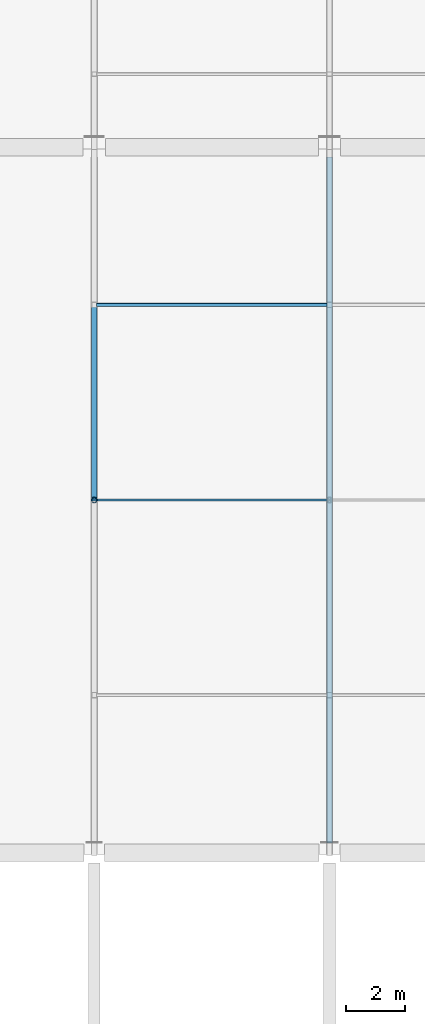
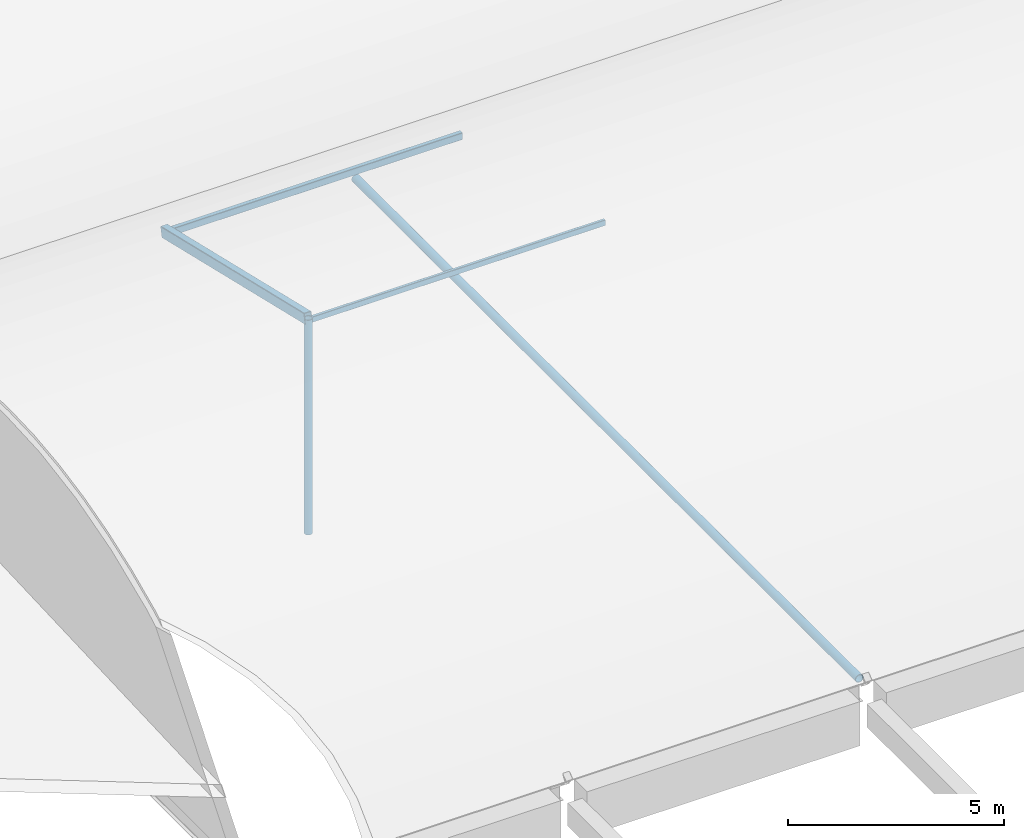
# One storey, part 5 of 57: 5 members.
"""IFC4 building model written with IfcOpenShell, lengths in metres."""

from ifc_helpers import new_model, si_unit, direction, frame, origin, origin_2d, place, context, subcontext, project, spatial, hollow_rectangle, hollow_circle, extrude, material, material_profile, profile_set, type_object, element, save


model = new_model("IFC4")

# Units and contexts
model_context = context("Model", 3, precision=1e-05, world=origin(), true_north=direction((0.0, 1.0)))
body_context = subcontext(model_context, "Body", "Model", "MODEL_VIEW")
ifc_project = project(units=[si_unit("LENGTHUNIT", "METRE"), si_unit("AREAUNIT", "SQUARE_METRE"), si_unit("VOLUMEUNIT", "CUBIC_METRE"), si_unit("PLANEANGLEUNIT", "RADIAN"), si_unit("MASSUNIT", "GRAM", prefix="KILO"), si_unit("THERMODYNAMICTEMPERATUREUNIT", "KELVIN"), si_unit("POWERUNIT", "WATT")], contexts=[model_context])

# Site, building, storey
site_placement = place(None, origin())
site = spatial("IfcSite", under=ifc_project, at=site_placement, CompositionType="ELEMENT")
building_placement = place(site_placement, origin())
building = spatial("IfcBuilding", under=site, at=building_placement, Name="Kronsvod Quay Wholesale Market", CompositionType="ELEMENT")
storey_placement = place(building_placement, frame((0.0, 0.0, 13.199951171875)))
storey = spatial("IfcBuildingStorey", under=building, at=storey_placement, Name="L03", CompositionType="ELEMENT", Elevation=13.199951171875)

# Members
ifc_material_1 = material(Name="Steel S355", Category="steel")
ifc_material_profile_1 = material_profile(ifc_material_1, hollow_rectangle(XDim=0.199951171875, YDim=0.300048828125, WallThickness=0.011962890625, InnerFilletRadius=0.011962890625, OuterFilletRadius=0.02392578125, at=origin_2d()), Name="RHS300x200x12")
ifc_profile_set_1 = profile_set([ifc_material_profile_1], Name="Steel S355")
member_type_1 = type_object("IfcMemberType", Name="Member_Arch300x200", PredefinedType="RAFTER", material=ifc_profile_set_1)
member_1_placement = place(storey_placement, frame((40.0, 66.0, 5.840087890625), z_axis=(0.0, 0.973251166163, -0.229743699723), x_axis=(-1.0, 0.0, 0.0)))
element("IfcMember", 1, at=member_1_placement, inside=storey, type_object=member_type_1, Name="ARCG-SH-V1W-M-400-2", PredefinedType="RAFTER", context=body_context, shape_type="SweptSolid", body=[
    extrude(hollow_rectangle(XDim=0.199951171875, YDim=0.300048828125, WallThickness=0.011962890625, InnerFilletRadius=0.011962890625, OuterFilletRadius=0.02392578125, at=origin_2d()), origin(), (0.0, 0.0, 1.0), 6.819091796875),
])
ifc_material_2 = material(Name="Steel S355", Category="steel")
ifc_material_profile_2 = material_profile(ifc_material_2, hollow_circle(Radius=0.096923828125, WallThickness=0.008056640625, at=origin_2d()), Name="CHS194x8")
ifc_profile_set_2 = profile_set([ifc_material_profile_2], Name="Steel S355")
member_type_2 = type_object("IfcMemberType", Name="Member_Brace194x8", PredefinedType="BRACE", material=ifc_profile_set_2)
member_2_placement = place(storey_placement, frame((40.0, 66.0, -0.22998046875), z_axis=(0.0, 0.0, 1.0), x_axis=(1.0, 0.0, 0.0)))
element("IfcMember", 2, at=member_2_placement, inside=storey, type_object=member_type_2, Name="KPST-SH-V1W-M-400", PredefinedType="BRACE", context=body_context, shape_type="SweptSolid", body=[
    extrude(hollow_circle(Radius=0.096923828125, WallThickness=0.008056640625, at=origin_2d()), origin(), (0.0, 0.0, 1.0), 6.070068359375),
])
ifc_material_3 = material(Name="Steel S355", Category="steel")
ifc_material_profile_3 = material_profile(ifc_material_3, hollow_circle(Radius=0.109619140625, WallThickness=0.010009765625, at=origin_2d()), Name="CHS219x10")
ifc_profile_set_3 = profile_set([ifc_material_profile_3], Name="Steel S355")
member_type_3 = type_object("IfcMemberType", Name="Member_Chord219x10", PredefinedType="CHORD", material=ifc_profile_set_3)
member_3_placement = place(storey_placement, frame((48.0, 54.340087890625, -0.079833984375), z_axis=(0.0, 1.0, 0.0), x_axis=(-1.0, 0.0, 0.0)))
element("IfcMember", 3, at=member_3_placement, inside=storey, type_object=member_type_3, Name="CHDG-SH-V1W-M-480", PredefinedType="CHORD", context=body_context, shape_type="SweptSolid", body=[
    extrude(hollow_circle(Radius=0.109619140625, WallThickness=0.010009765625, at=origin_2d()), origin(), (0.0, 0.0, 1.0), 23.31982421875),
])
ifc_material_4 = material(Name="Steel S355", Category="steel")
ifc_material_profile_4 = material_profile(ifc_material_4, hollow_rectangle(XDim=0.1201171875, YDim=0.199951171875, WallThickness=0.008056640625, InnerFilletRadius=0.008056640625, OuterFilletRadius=0.01611328125, at=origin_2d()), Name="RHS200x120x8")
ifc_profile_set_4 = profile_set([ifc_material_profile_4], Name="Steel S355")
member_type_4 = type_object("IfcMemberType", Name="Member_Girt200x120", PredefinedType="PURLIN", material=ifc_profile_set_4)
member_4_placement = place(storey_placement, frame((40.080078125, 72.63671875, 4.21337890625), z_axis=(1.0, 0.0, 0.0), x_axis=(0.0, 1.0, 0.0)))
element("IfcMember", 4, at=member_4_placement, inside=storey, type_object=member_type_4, Name="PRLG-SH-V1W-M-0-2", PredefinedType="PURLIN", context=body_context, shape_type="SweptSolid", body=[
    extrude(hollow_rectangle(XDim=0.1201171875, YDim=0.199951171875, WallThickness=0.008056640625, InnerFilletRadius=0.008056640625, OuterFilletRadius=0.01611328125, at=origin_2d()), origin(), (0.0, 0.0, 1.0), 7.83984375),
])
ifc_material_5 = material(Name="Steel S355", Category="steel")
ifc_material_profile_5 = material_profile(ifc_material_5, hollow_rectangle(XDim=0.080078125, YDim=0.159912109375, WallThickness=0.006103515625, InnerFilletRadius=0.006103515625, OuterFilletRadius=0.011962890625, at=origin_2d()), Name="RHS160x80x6")
ifc_profile_set_5 = profile_set([ifc_material_profile_5], Name="Steel S355")
member_type_5 = type_object("IfcMemberType", Name="Member_Purlin160x80", PredefinedType="PURLIN", material=ifc_profile_set_5)
member_5_placement = place(storey_placement, frame((40.080078125, 66.0, 5.780029296875), z_axis=(1.0, 0.0, 0.0), x_axis=(0.0, 1.0, 0.0)))
element("IfcMember", 5, at=member_5_placement, inside=storey, type_object=member_type_5, Name="PRLG-SH-V1W-M-0-1", PredefinedType="PURLIN", context=body_context, shape_type="SweptSolid", body=[
    extrude(hollow_rectangle(XDim=0.080078125, YDim=0.159912109375, WallThickness=0.006103515625, InnerFilletRadius=0.006103515625, OuterFilletRadius=0.011962890625, at=origin_2d()), origin(), (0.0, 0.0, 1.0), 7.83984375),
])

save(model, "model.ifc")
